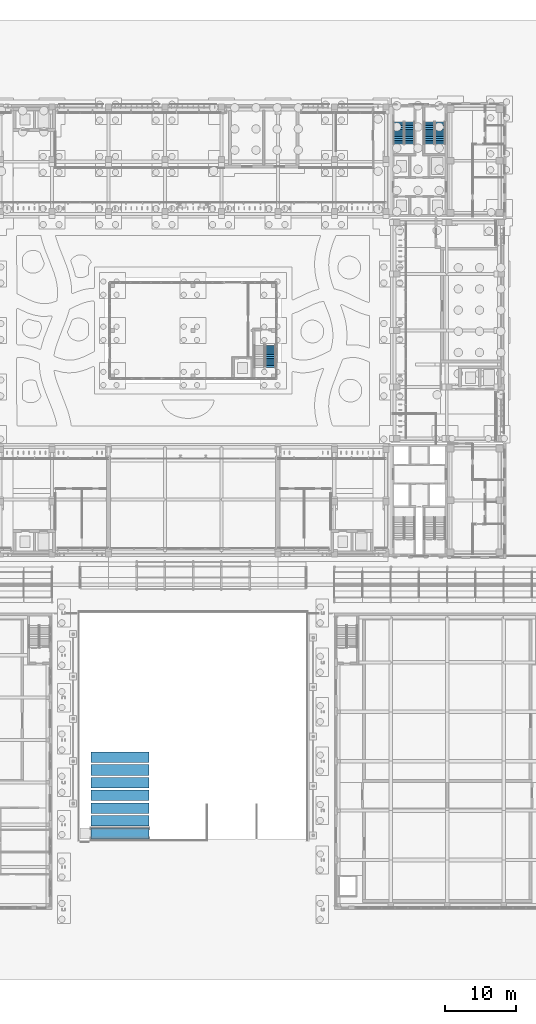
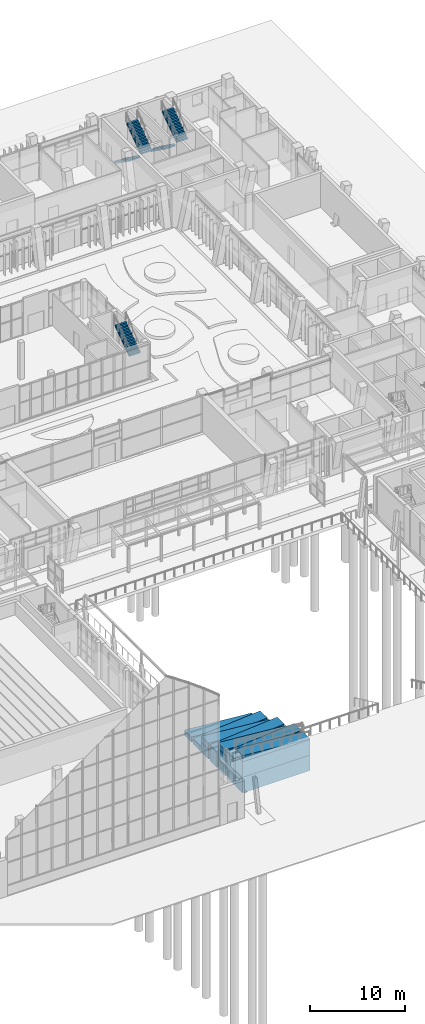
# One storey, part 116 of 144: 16 ramp flights, 5 stair flights, 4 elements without a shape of their own.
"""IFC4 building model written with IfcOpenShell, lengths in metres."""

from ifc_helpers import new_model, si_unit, direction, frame, frame_2d, origin, place, context, subcontext, project, spatial, polyline, rectangle, outline, extrude, material, type_object, element, aggregate, save


model = new_model("IFC4")

# Units and contexts
model_context = context("Model", 3, precision=1e-05, world=origin(), true_north=direction((0.0, 1.0)))
body_context = subcontext(model_context, "Body", "Model", "MODEL_VIEW")
ifc_project = project(units=[si_unit("LENGTHUNIT", "METRE"), si_unit("AREAUNIT", "SQUARE_METRE"), si_unit("VOLUMEUNIT", "CUBIC_METRE"), si_unit("PLANEANGLEUNIT", "RADIAN"), si_unit("MASSUNIT", "GRAM", prefix="KILO")], contexts=[model_context])

# Site, building, storey
site_placement = place(None, origin())
site = spatial("IfcSite", under=ifc_project, at=site_placement, CompositionType="ELEMENT")
building_placement = place(site_placement, origin())
building = spatial("IfcBuilding", under=site, at=building_placement, Name="Lantern Court Media Centre", CompositionType="ELEMENT")
storey_placement = place(building_placement, origin())
storey = spatial("IfcBuildingStorey", under=building, at=storey_placement, Name="L00", CompositionType="ELEMENT", Elevation=0.0)

# Stair, stair flights
ifc_material = material(Name="Concrete C40", Category="concrete")
stair_type = type_object("IfcStairType", Name="Exit stair 1350", PredefinedType="HALF_TURN_STAIR", material=ifc_material)
stair_1_placement = place(storey_placement, origin())
stair_1 = element("IfcStair", 1, at=stair_1_placement, inside=storey, type_object=stair_type, Name="L00 NE exit stair A", PredefinedType="HALF_TURN_STAIR")
stair_flight_type = type_object("IfcStairFlightType", Name="Stair flight RC 1350", PredefinedType="STRAIGHT", material=ifc_material)
stair_flight_1_placement = place(storey_placement, frame((85.47509765625, 109.550048828125, 0.0), z_axis=(0.0, 0.0, 1.0), x_axis=(0.0, -1.0, 0.0)))
stair_flight_1 = element("IfcStairFlight", 2, at=stair_flight_1_placement, type_object=stair_flight_type, Name="ST-NEA flight 1", NumberOfRisers=13, NumberOfTreads=12, PredefinedType="STRAIGHT", RiserHeight=0.184615385, TreadLength=0.26, context=body_context, shape_type="SweptSolid", body=[
    extrude(outline(polyline([(0.0, 0.0), (0.0, 0.1845703125), (0.260009765625, 0.1845703125), (0.260009765625, 0.369140625), (0.52001953125, 0.369140625), (0.52001953125, 0.553955078125), (0.780029296875, 0.553955078125), (0.780029296875, 0.738525390625), (1.0400390625, 0.738525390625), (1.0400390625, 0.923095703125), (1.300048828125, 0.923095703125), (1.300048828125, 1.107666015625), (1.56005859375, 1.107666015625), (1.56005859375, 1.292236328125), (1.820068359375, 1.292236328125), (1.820068359375, 1.476806640625), (2.080078125, 1.476806640625), (2.080078125, 1.66162109375), (2.340087890625, 1.66162109375), (2.340087890625, 1.84619140625), (2.60009765625, 1.84619140625), (2.60009765625, 2.03076171875), (2.860107421875, 2.03076171875), (2.860107421875, 2.21533203125), (3.1201171875, 2.21533203125), (3.1201171875, 2.39990234375), (3.1201171875, 2.031494140625), (0.259033203125, 0.0), (0.0, 0.0)])), frame((0.0, 0.675048828125, 0.0), z_axis=(0.0, -1.0, 0.0), x_axis=(1.0, 0.0, 0.0)), (0.0, 0.0, 1.0), 1.35009765625),
])
stair_flight_2_placement = place(storey_placement, frame((86.97509765625, 106.429931640625, 2.39990234375), z_axis=(0.0, 0.0, 1.0), x_axis=(0.0, 1.0, 0.0)))
stair_flight_2 = element("IfcStairFlight", 3, at=stair_flight_2_placement, type_object=stair_flight_type, Name="ST-NEA flight 2", NumberOfRisers=13, NumberOfTreads=12, PredefinedType="STRAIGHT", RiserHeight=0.184615385, TreadLength=0.26, context=body_context, shape_type="SweptSolid", body=[
    extrude(outline(polyline([(0.0, 0.0), (0.0, 0.1845703125), (0.260009765625, 0.1845703125), (0.260009765625, 0.369140625), (0.52001953125, 0.369140625), (0.52001953125, 0.553955078125), (0.780029296875, 0.553955078125), (0.780029296875, 0.738525390625), (1.0400390625, 0.738525390625), (1.0400390625, 0.923095703125), (1.300048828125, 0.923095703125), (1.300048828125, 1.107666015625), (1.56005859375, 1.107666015625), (1.56005859375, 1.292236328125), (1.820068359375, 1.292236328125), (1.820068359375, 1.476806640625), (2.080078125, 1.476806640625), (2.080078125, 1.66162109375), (2.340087890625, 1.66162109375), (2.340087890625, 1.84619140625), (2.60009765625, 1.84619140625), (2.60009765625, 2.03076171875), (2.860107421875, 2.03076171875), (2.860107421875, 2.21533203125), (3.1201171875, 2.21533203125), (3.1201171875, 2.39990234375), (3.1201171875, 2.031494140625), (0.259033203125, 0.0), (0.0, 0.0)])), frame((0.0, 0.675048828125, 0.0), z_axis=(0.0, -1.0, 0.0), x_axis=(1.0, 0.0, 0.0)), (0.0, 0.0, 1.0), 1.35009765625),
])
aggregate(stair_1, [stair_flight_1, stair_flight_2])

stair_2_placement = place(storey_placement, origin())
stair_2 = element("IfcStair", 4, at=stair_2_placement, inside=storey, type_object=stair_type, Name="L00 NE exit stair B", PredefinedType="HALF_TURN_STAIR")
stair_flight_3_placement = place(storey_placement, frame((81.125, 109.550048828125, 0.0), z_axis=(0.0, 0.0, 1.0), x_axis=(0.0, -1.0, 0.0)))
stair_flight_3 = element("IfcStairFlight", 5, at=stair_flight_3_placement, type_object=stair_flight_type, Name="ST-NEB flight 1", NumberOfRisers=13, NumberOfTreads=12, PredefinedType="STRAIGHT", RiserHeight=0.184615385, TreadLength=0.26, context=body_context, shape_type="SweptSolid", body=[
    extrude(outline(polyline([(0.0, 0.0), (0.0, 0.1845703125), (0.260009765625, 0.1845703125), (0.260009765625, 0.369140625), (0.52001953125, 0.369140625), (0.52001953125, 0.553955078125), (0.780029296875, 0.553955078125), (0.780029296875, 0.738525390625), (1.0400390625, 0.738525390625), (1.0400390625, 0.923095703125), (1.300048828125, 0.923095703125), (1.300048828125, 1.107666015625), (1.56005859375, 1.107666015625), (1.56005859375, 1.292236328125), (1.820068359375, 1.292236328125), (1.820068359375, 1.476806640625), (2.080078125, 1.476806640625), (2.080078125, 1.66162109375), (2.340087890625, 1.66162109375), (2.340087890625, 1.84619140625), (2.60009765625, 1.84619140625), (2.60009765625, 2.03076171875), (2.860107421875, 2.03076171875), (2.860107421875, 2.21533203125), (3.1201171875, 2.21533203125), (3.1201171875, 2.39990234375), (3.1201171875, 2.031494140625), (0.259033203125, 0.0), (0.0, 0.0)])), frame((0.0, 0.675048828125, 0.0), z_axis=(0.0, -1.0, 0.0), x_axis=(1.0, 0.0, 0.0)), (0.0, 0.0, 1.0), 1.35009765625),
])
stair_flight_4_placement = place(storey_placement, frame((82.625, 106.429931640625, 2.39990234375), z_axis=(0.0, 0.0, 1.0), x_axis=(0.0, 1.0, 0.0)))
stair_flight_4 = element("IfcStairFlight", 6, at=stair_flight_4_placement, type_object=stair_flight_type, Name="ST-NEB flight 2", NumberOfRisers=13, NumberOfTreads=12, PredefinedType="STRAIGHT", RiserHeight=0.184615385, TreadLength=0.26, context=body_context, shape_type="SweptSolid", body=[
    extrude(outline(polyline([(0.0, 0.0), (0.0, 0.1845703125), (0.260009765625, 0.1845703125), (0.260009765625, 0.369140625), (0.52001953125, 0.369140625), (0.52001953125, 0.553955078125), (0.780029296875, 0.553955078125), (0.780029296875, 0.738525390625), (1.0400390625, 0.738525390625), (1.0400390625, 0.923095703125), (1.300048828125, 0.923095703125), (1.300048828125, 1.107666015625), (1.56005859375, 1.107666015625), (1.56005859375, 1.292236328125), (1.820068359375, 1.292236328125), (1.820068359375, 1.476806640625), (2.080078125, 1.476806640625), (2.080078125, 1.66162109375), (2.340087890625, 1.66162109375), (2.340087890625, 1.84619140625), (2.60009765625, 1.84619140625), (2.60009765625, 2.03076171875), (2.860107421875, 2.03076171875), (2.860107421875, 2.21533203125), (3.1201171875, 2.21533203125), (3.1201171875, 2.39990234375), (3.1201171875, 2.031494140625), (0.259033203125, 0.0), (0.0, 0.0)])), frame((0.0, 0.675048828125, 0.0), z_axis=(0.0, -1.0, 0.0), x_axis=(1.0, 0.0, 0.0)), (0.0, 0.0, 1.0), 1.35009765625),
])
aggregate(stair_2, [stair_flight_3, stair_flight_4])

# Stair, stair flight
stair_3_placement = place(storey_placement, origin())
stair_3 = element("IfcStair", 7, at=stair_3_placement, inside=storey, type_object=stair_type, Name="L00 PRESS-ST exit stair", PredefinedType="HALF_TURN_STAIR")
stair_flight_5_placement = place(storey_placement, frame((62.925048828125, 74.780029296875, 2.39990234375), z_axis=(0.0, 0.0, 1.0), x_axis=(0.0, 1.0, 0.0)))
stair_flight_5 = element("IfcStairFlight", 8, at=stair_flight_5_placement, type_object=stair_flight_type, Name="ST-PRESS-ST flight 2", NumberOfRisers=13, NumberOfTreads=12, PredefinedType="STRAIGHT", RiserHeight=0.184615385, TreadLength=0.26, context=body_context, shape_type="SweptSolid", body=[
    extrude(outline(polyline([(0.0, 0.0), (0.0, 0.1845703125), (0.260009765625, 0.1845703125), (0.260009765625, 0.369140625), (0.52001953125, 0.369140625), (0.52001953125, 0.553955078125), (0.780029296875, 0.553955078125), (0.780029296875, 0.738525390625), (1.0400390625, 0.738525390625), (1.0400390625, 0.923095703125), (1.300048828125, 0.923095703125), (1.300048828125, 1.107666015625), (1.56005859375, 1.107666015625), (1.56005859375, 1.292236328125), (1.820068359375, 1.292236328125), (1.820068359375, 1.476806640625), (2.080078125, 1.476806640625), (2.080078125, 1.66162109375), (2.340087890625, 1.66162109375), (2.340087890625, 1.84619140625), (2.60009765625, 1.84619140625), (2.60009765625, 2.03076171875), (2.860107421875, 2.03076171875), (2.860107421875, 2.21533203125), (3.1201171875, 2.21533203125), (3.1201171875, 2.39990234375), (3.1201171875, 2.031494140625), (0.259033203125, 0.0), (0.0, 0.0)])), frame((0.0, 0.675048828125, 0.0), z_axis=(0.0, -1.0, 0.0), x_axis=(1.0, 0.0, 0.0)), (0.0, 0.0, 1.0), 1.35009765625),
])
aggregate(stair_3, [stair_flight_5])

# Ramp, ramp flights
ramp_placement = place(storey_placement, origin())
ramp = element("IfcRamp", 9, at=ramp_placement, inside=storey, Name="Forecourt accessible ramp", PredefinedType="NOTDEFINED")
ramp_flight_1_placement = place(storey_placement, frame((37.5, 8.75, -0.78564453125), z_axis=(0.0, 0.0, 1.0), x_axis=(1.0, 0.0, 0.0)))
ramp_flight_1 = element("IfcRampFlight", 10, at=ramp_flight_1_placement, Name="Ramp flight 1", PredefinedType="STRAIGHT", context=body_context, shape_type="SweptSolid", body=[
    extrude(outline(polyline([(0.0, 0.0), (8.228515625, 0.0), (8.228515625, 0.099853515625), (0.0, 0.78564453125), (0.0, 0.0)])), frame((0.0, 0.75, 0.0), z_axis=(0.0, -1.0, 0.0), x_axis=(1.0, 0.0, 0.0)), (0.0, 0.0, 1.0), 1.5),
])
ramp_flight_2_placement = place(storey_placement, frame((37.5, 8.75, -4.800048828125), z_axis=(0.0, 0.0, 1.0), x_axis=(1.0, 0.0, 0.0)))
ramp_flight_2 = element("IfcRampFlight", 11, at=ramp_flight_2_placement, Name="Ramp flight 1 base 1", PredefinedType="STRAIGHT", context=body_context, shape_type="SweptSolid", body=[
    extrude(rectangle(XDim=8.228515625, YDim=1.5, at=frame_2d((4.1142578125, 0.0))), origin(), (0.0, 0.0, 1.0), 2.007080078125),
])
ramp_flight_3_placement = place(storey_placement, frame((37.5, 8.75, -2.79296875), z_axis=(0.0, 0.0, 1.0), x_axis=(1.0, 0.0, 0.0)))
ramp_flight_3 = element("IfcRampFlight", 12, at=ramp_flight_3_placement, Name="Ramp flight 1 base 2", PredefinedType="STRAIGHT", context=body_context, shape_type="SweptSolid", body=[
    extrude(rectangle(XDim=8.228515625, YDim=1.5, at=frame_2d((4.1142578125, 0.0))), origin(), (0.0, 0.0, 1.0), 2.00732421875),
])
placement = place(building_placement, frame((0.0, 0.0, -4.800048828125)))
ramp_flight_4_placement = place(placement, frame((45.728515625, 10.550048828125, 3.32861328125), z_axis=(0.0, 0.0, 1.0), x_axis=(-1.0, 0.0, 0.0)))
ramp_flight_4 = element("IfcRampFlight", 13, at=ramp_flight_4_placement, Name="Ramp flight 2", PredefinedType="STRAIGHT", context=body_context, shape_type="SweptSolid", body=[
    extrude(outline(polyline([(0.0, 0.0), (8.228515625, 0.0), (8.228515625, 0.10009765625), (0.0, 0.78564453125), (0.0, 0.0)])), frame((0.0, 0.75, 0.0), z_axis=(0.0, -1.0, 0.0), x_axis=(1.0, 0.0, 0.0)), (0.0, 0.0, 1.0), 1.5),
])
ramp_flight_5_placement = place(placement, frame((45.728515625, 10.550048828125, 0.0), z_axis=(0.0, 0.0, 1.0), x_axis=(-1.0, 0.0, 0.0)))
ramp_flight_5 = element("IfcRampFlight", 14, at=ramp_flight_5_placement, Name="Ramp flight 2 base 1", PredefinedType="STRAIGHT", context=body_context, shape_type="SweptSolid", body=[
    extrude(rectangle(XDim=8.228515625, YDim=1.5, at=frame_2d((4.1142578125, 0.0))), origin(), (0.0, 0.0, 1.0), 1.664306640625),
])
ramp_flight_6_placement = place(placement, frame((45.728515625, 10.550048828125, 1.664306640625), z_axis=(0.0, 0.0, 1.0), x_axis=(-1.0, 0.0, 0.0)))
ramp_flight_6 = element("IfcRampFlight", 15, at=ramp_flight_6_placement, Name="Ramp flight 2 base 2", PredefinedType="STRAIGHT", context=body_context, shape_type="SweptSolid", body=[
    extrude(rectangle(XDim=8.228515625, YDim=1.5, at=frame_2d((4.1142578125, 0.0))), origin(), (0.0, 0.0, 1.0), 1.664306640625),
])
ramp_flight_7_placement = place(placement, frame((37.5, 12.35009765625, 2.64306640625), z_axis=(0.0, 0.0, 1.0), x_axis=(1.0, 0.0, 0.0)))
ramp_flight_7 = element("IfcRampFlight", 16, at=ramp_flight_7_placement, Name="Ramp flight 3", PredefinedType="STRAIGHT", context=body_context, shape_type="SweptSolid", body=[
    extrude(outline(polyline([(0.0, 0.0), (8.228515625, 0.0), (8.228515625, 0.099853515625), (0.0, 0.78564453125), (0.0, 0.0)])), frame((0.0, 0.75, 0.0), z_axis=(0.0, -1.0, 0.0), x_axis=(1.0, 0.0, 0.0)), (0.0, 0.0, 1.0), 1.5),
])
ramp_flight_8_placement = place(placement, frame((37.5, 12.35009765625, 0.0), z_axis=(0.0, 0.0, 1.0), x_axis=(1.0, 0.0, 0.0)))
ramp_flight_8 = element("IfcRampFlight", 17, at=ramp_flight_8_placement, Name="Ramp flight 3 base 1", PredefinedType="STRAIGHT", context=body_context, shape_type="SweptSolid", body=[
    extrude(rectangle(XDim=8.228515625, YDim=1.5, at=frame_2d((4.1142578125, 0.0))), origin(), (0.0, 0.0, 1.0), 1.321533203125),
])
ramp_flight_9_placement = place(placement, frame((37.5, 12.35009765625, 1.321533203125), z_axis=(0.0, 0.0, 1.0), x_axis=(1.0, 0.0, 0.0)))
ramp_flight_9 = element("IfcRampFlight", 18, at=ramp_flight_9_placement, Name="Ramp flight 3 base 2", PredefinedType="STRAIGHT", context=body_context, shape_type="SweptSolid", body=[
    extrude(rectangle(XDim=8.228515625, YDim=1.5, at=frame_2d((4.1142578125, 0.0))), origin(), (0.0, 0.0, 1.0), 1.321533203125),
])
ramp_flight_10_placement = place(placement, frame((45.728515625, 14.14990234375, 1.95703125), z_axis=(0.0, 0.0, 1.0), x_axis=(-1.0, 0.0, 0.0)))
ramp_flight_10 = element("IfcRampFlight", 19, at=ramp_flight_10_placement, Name="Ramp flight 4", PredefinedType="STRAIGHT", context=body_context, shape_type="SweptSolid", body=[
    extrude(outline(polyline([(0.0, 0.0), (8.228515625, 0.0), (8.228515625, 0.10009765625), (0.0, 0.785888671875), (0.0, 0.0)])), frame((0.0, 0.75, 0.0), z_axis=(0.0, -1.0, 0.0), x_axis=(1.0, 0.0, 0.0)), (0.0, 0.0, 1.0), 1.5),
])
ramp_flight_11_placement = place(placement, frame((45.728515625, 14.14990234375, 0.0), z_axis=(0.0, 0.0, 1.0), x_axis=(-1.0, 0.0, 0.0)))
ramp_flight_11 = element("IfcRampFlight", 20, at=ramp_flight_11_placement, Name="Ramp flight 4 base 1", PredefinedType="STRAIGHT", context=body_context, shape_type="SweptSolid", body=[
    extrude(rectangle(XDim=8.228515625, YDim=1.5, at=frame_2d((4.1142578125, 0.0))), origin(), (0.0, 0.0, 1.0), 1.95703125),
])
ramp_flight_12_placement = place(placement, frame((37.5, 15.949951171875, 1.271484375), z_axis=(0.0, 0.0, 1.0), x_axis=(1.0, 0.0, 0.0)))
ramp_flight_12 = element("IfcRampFlight", 21, at=ramp_flight_12_placement, Name="Ramp flight 5", PredefinedType="STRAIGHT", context=body_context, shape_type="SweptSolid", body=[
    extrude(outline(polyline([(0.0, 0.0), (8.228515625, 0.0), (8.228515625, 0.099853515625), (0.0, 0.78564453125), (0.0, 0.0)])), frame((0.0, 0.75, 0.0), z_axis=(0.0, -1.0, 0.0), x_axis=(1.0, 0.0, 0.0)), (0.0, 0.0, 1.0), 1.5),
])
ramp_flight_13_placement = place(placement, frame((37.5, 15.949951171875, 0.0), z_axis=(0.0, 0.0, 1.0), x_axis=(1.0, 0.0, 0.0)))
ramp_flight_13 = element("IfcRampFlight", 22, at=ramp_flight_13_placement, Name="Ramp flight 5 base 1", PredefinedType="STRAIGHT", context=body_context, shape_type="SweptSolid", body=[
    extrude(rectangle(XDim=8.228515625, YDim=1.5, at=frame_2d((4.1142578125, 0.0))), origin(), (0.0, 0.0, 1.0), 1.271484375),
])
ramp_flight_14_placement = place(placement, frame((45.728515625, 17.75, 0.585693359375), z_axis=(0.0, 0.0, 1.0), x_axis=(-1.0, 0.0, 0.0)))
ramp_flight_14 = element("IfcRampFlight", 23, at=ramp_flight_14_placement, Name="Ramp flight 6", PredefinedType="STRAIGHT", context=body_context, shape_type="SweptSolid", body=[
    extrude(outline(polyline([(0.0, 0.0), (8.228515625, 0.0), (8.228515625, 0.10009765625), (0.0, 0.78564453125), (0.0, 0.0)])), frame((0.0, 0.75, 0.0), z_axis=(0.0, -1.0, 0.0), x_axis=(1.0, 0.0, 0.0)), (0.0, 0.0, 1.0), 1.5),
])
ramp_flight_15_placement = place(placement, frame((45.728515625, 17.75, 0.0), z_axis=(0.0, 0.0, 1.0), x_axis=(-1.0, 0.0, 0.0)))
ramp_flight_15 = element("IfcRampFlight", 24, at=ramp_flight_15_placement, Name="Ramp flight 6 base 1", PredefinedType="STRAIGHT", context=body_context, shape_type="SweptSolid", body=[
    extrude(rectangle(XDim=8.228515625, YDim=1.5, at=frame_2d((4.1142578125, 0.0))), origin(), (0.0, 0.0, 1.0), 0.585693359375),
])
ramp_flight_16_placement = place(placement, frame((37.5, 19.550048828125, 0.0), z_axis=(0.0, 0.0, 1.0), x_axis=(1.0, 0.0, 0.0)))
ramp_flight_16 = element("IfcRampFlight", 25, at=ramp_flight_16_placement, Name="Ramp flight 7", PredefinedType="STRAIGHT", context=body_context, shape_type="SweptSolid", body=[
    extrude(outline(polyline([(0.0, 0.0), (8.228515625, 0.0), (8.228515625, 0.010009765625), (0.0, 0.685791015625), (0.0, 0.0)])), frame((0.0, 0.75, 0.0), z_axis=(0.0, -1.0, 0.0), x_axis=(1.0, 0.0, 0.0)), (0.0, 0.0, 1.0), 1.5),
])
aggregate(ramp, [ramp_flight_1, ramp_flight_2, ramp_flight_3, ramp_flight_4, ramp_flight_5, ramp_flight_6, ramp_flight_7, ramp_flight_8, ramp_flight_9, ramp_flight_10, ramp_flight_11, ramp_flight_12, ramp_flight_13, ramp_flight_14, ramp_flight_15, ramp_flight_16])

save(model, "model.ifc")
